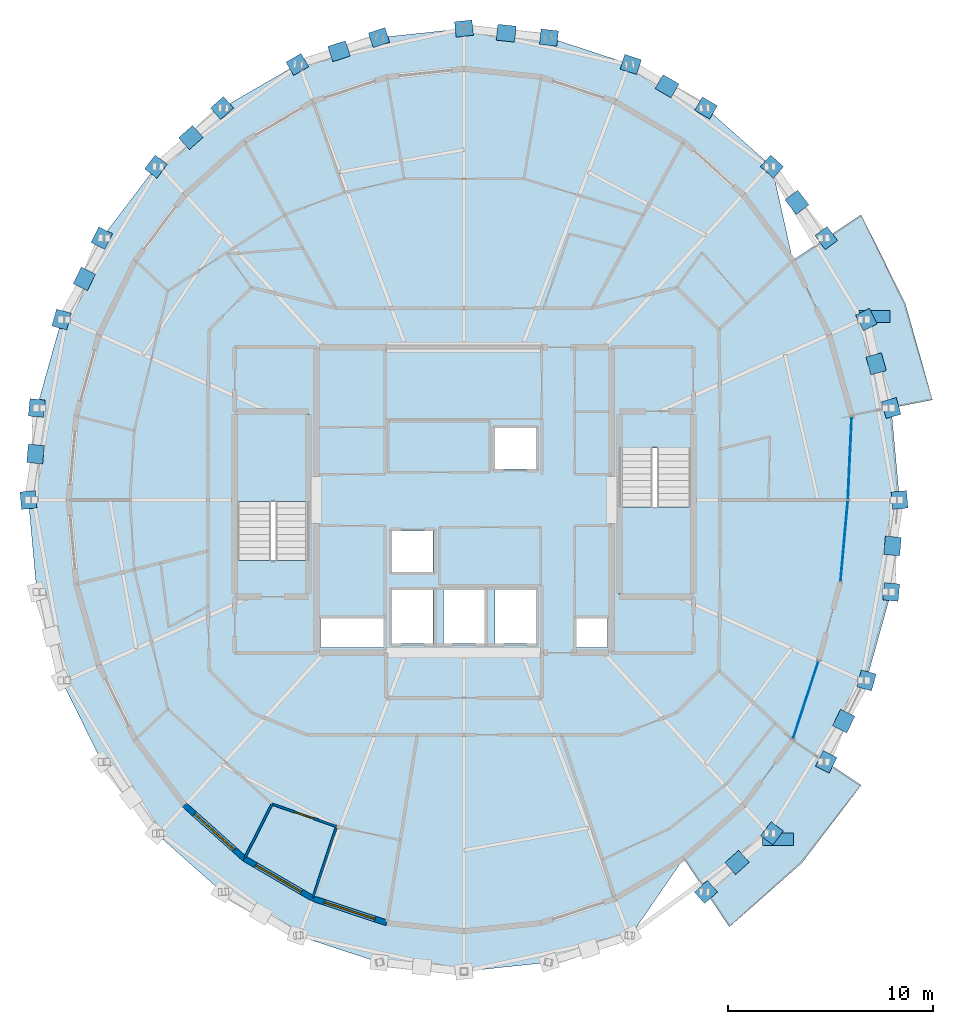
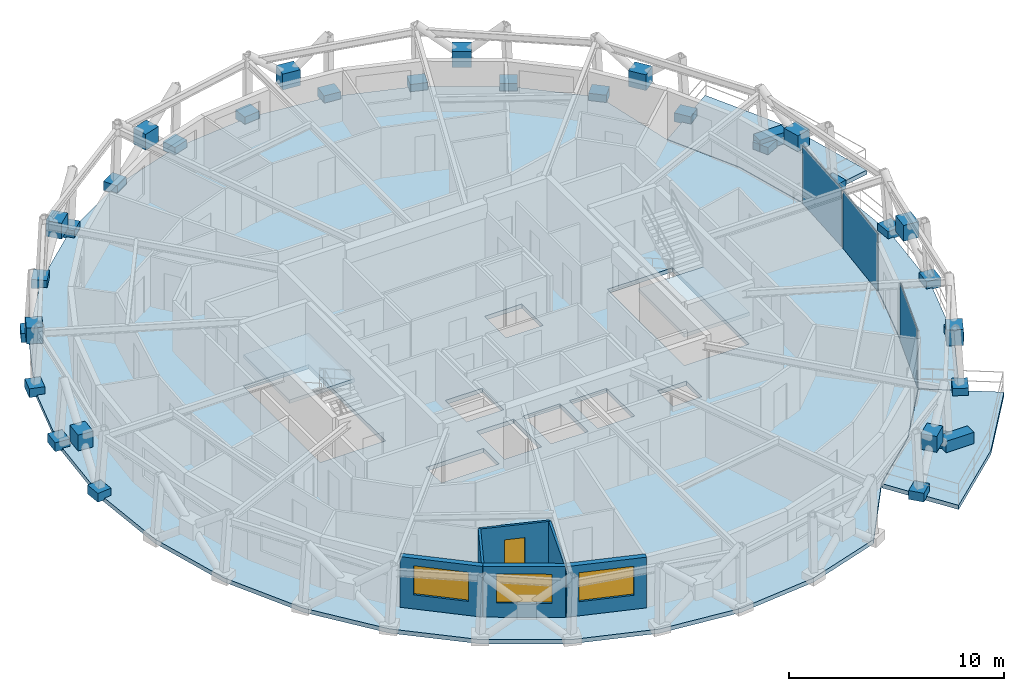
# One storey, part 6 of 12: 38 plates, 6 slabs, 6 walls, 3 windows, 1 door, 4 openings, 4 elements without a shape of their own.
"""IFC4 building model written with IfcOpenShell, lengths in metres."""

from ifc_helpers import new_model, si_unit, direction, frame, frame_2d, origin, origin_2d, place, context, subcontext, project, spatial, polyline, rectangle, outline, extrude, material, layer, layer_set, type_object, element, fill, aggregate, save


model = new_model("IFC4")

# Units and contexts
model_context = context("Model", 3, precision=1e-05, world=origin(), true_north=direction((0.0, 1.0)))
body_context = subcontext(model_context, "Body", "Model", "MODEL_VIEW")
ifc_project = project(units=[si_unit("LENGTHUNIT", "METRE"), si_unit("AREAUNIT", "SQUARE_METRE"), si_unit("VOLUMEUNIT", "CUBIC_METRE"), si_unit("PLANEANGLEUNIT", "RADIAN"), si_unit("MASSUNIT", "GRAM", prefix="KILO")], contexts=[model_context])

# Site, building, storey
site_placement = place(None, origin())
site = spatial("IfcSite", under=ifc_project, at=site_placement, CompositionType="ELEMENT")
building_placement = place(site_placement, origin())
building = spatial("IfcBuilding", under=site, at=building_placement, Name="Veldorina Hangang Commons", CompositionType="ELEMENT")
storey_placement = place(building_placement, frame((0.0, 0.0, 272.39990234375)))
storey = spatial("IfcBuildingStorey", under=building, at=storey_placement, Name="L71", CompositionType="ELEMENT", Elevation=272.39990234375)

# Curtain wall, plate
ifc_material_1 = material(Name="Glass Low-E Selective", Category="glass")
ifc_layer_1 = layer(ifc_material_1, 0.179931640625)
ifc_layer_set_1 = layer_set([ifc_layer_1], Name="Glass Low-E Selective")
curtain_wall_type = type_object("IfcCurtainWallType", Name="CW-SYS-Z3", PredefinedType="NOTDEFINED", material=ifc_layer_set_1)
curtain_wall_1_placement = place(storey_placement, origin())
curtain_wall_1 = element("IfcCurtainWall", 1, at=curtain_wall_1_placement, inside=storey, type_object=curtain_wall_type, Name="L71 unitised curtain wall CW-L71-R1", PredefinedType="NOTDEFINED")
ifc_material_2 = material(Name="Glass Low-E Triple IGU", Category="glass")
ifc_layer_2 = layer(ifc_material_2, 0.0400390625)
ifc_layer_set_2 = layer_set([ifc_layer_2], Name="Glass Low-E Triple IGU")
plate_type_1 = type_object("IfcPlateType", Name="CW-PNL-VIS", PredefinedType="CURTAIN_PANEL", material=ifc_layer_set_2)
plate_1_placement = place(storey_placement, frame((48.65966796875, 14.243896484375, 0.01513671875), z_axis=(0.0, 0.0, 1.0), x_axis=(0.311953550135, 0.950097354253, 0.0)))
plate_1 = element("IfcPlate", 2, at=plate_1_placement, type_object=plate_type_1, Name="CW-L71-R1 facet 1 glazed vision panel", PredefinedType="CURTAIN_PANEL", context=body_context, shape_type="SweptSolid", body=[
    extrude(rectangle(XDim=3.87158203125, YDim=0.0400390625, at=origin_2d()), origin(), (0.0, 0.0, 1.0), 3.2900390625),
])
aggregate(curtain_wall_1, [plate_1])

# Curtain wall, plates
curtain_wall_2_placement = place(storey_placement, origin())
curtain_wall_2 = element("IfcCurtainWall", 3, at=curtain_wall_2_placement, inside=storey, type_object=curtain_wall_type, Name="L71 unitised curtain wall CW-L71-R2", PredefinedType="NOTDEFINED")
plate_2_placement = place(storey_placement, frame((50.53662109375, 22.00390625, 0.01513671875), z_axis=(0.0, 0.0, 1.0), x_axis=(0.089711324082, 0.995967809887, 0.0)))
plate_2 = element("IfcPlate", 4, at=plate_2_placement, type_object=plate_type_1, Name="CW-L71-R2 facet 1 glazed vision panel", PredefinedType="CURTAIN_PANEL", context=body_context, shape_type="SweptSolid", body=[
    extrude(rectangle(XDim=3.82861328125, YDim=0.0400390625, at=origin_2d()), origin(), (0.0, 0.0, 1.0), 3.2900390625),
])
plate_3_placement = place(storey_placement, frame((50.81103515625, 26.05078125, 0.01513671875), z_axis=(0.0, 0.0, 1.0), x_axis=(0.046182433077, 0.998933022217, 0.0)))
plate_3 = element("IfcPlate", 5, at=plate_3_placement, type_object=plate_type_1, Name="CW-L71-R2 facet 2 glazed vision panel", PredefinedType="CURTAIN_PANEL", context=body_context, shape_type="SweptSolid", body=[
    extrude(rectangle(XDim=3.926025390625, YDim=0.0400390625, at=origin_2d()), origin(), (0.0, 0.0, 1.0), 3.2900390625),
])
aggregate(curtain_wall_2, [plate_2, plate_3])

# Plates
ifc_material_3 = material(Name="Steel SM460-TMC", Category="steel")
ifc_layer_3 = layer(ifc_material_3, 0.035888671875)
ifc_layer_set_3 = layer_set([ifc_layer_3], Name="Steel SM460-TMC")
plate_type_2 = type_object("IfcPlateType", Name="PL-STAR-36", PredefinedType="USERDEFINED", material=ifc_layer_set_3)
for number, where, z_axis, x_axis, name in (
    (6, (53.236328125, 24.0, -0.08984375), (0.0, 0.0, 1.0), (-0.090615198722, 0.995885980301, 0.0), "L71 diagrid star-node gusset plate 00"),
    (7, (52.828369140625, 28.484130859375, -0.08984375), (0.0, 0.0, 1.0), (-0.269877877789, 0.962894558651, 0.0), "L71 diagrid star-node gusset plate 01"),
):
    element("IfcPlate", number, at=place(storey_placement, frame(where, z_axis=z_axis, x_axis=x_axis)), inside=storey, type_object=plate_type_2, Name=name, ObjectType="GUSSET PLATE", PredefinedType="USERDEFINED", context=body_context, shape_type="SweptSolid", body=[
        extrude(rectangle(XDim=0.85009765625, YDim=0.75, at=origin_2d()), origin(), (0.0, 0.0, 1.0), 0.5),
    ])
plate_4_placement = place(storey_placement, frame((52.093505859375, 30.639404296875, 1.3515625), z_axis=(0.0, 0.0, 1.0), x_axis=(-0.269877877789, 0.962894558651, 0.0)))
element("IfcPlate", 8, at=plate_4_placement, inside=storey, type_object=plate_type_2, Name="L71 diagrid X-crossing star-node gusset plate 01", ObjectType="GUSSET PLATE", PredefinedType="USERDEFINED", context=body_context, shape_type="SweptSolid", body=[
    extrude(rectangle(XDim=0.89990234375, YDim=0.780029296875, at=origin_2d()), origin(), (0.0, 0.0, 1.0), 0.89990234375),
])
for number, where, z_axis, x_axis, name in (
    (9, (51.619873046875, 32.7958984375, -0.08984375), (0.0, 0.0, 1.0), (-0.442805178447, 0.896617852789, 0.0), "L71 diagrid star-node gusset plate 02"),
    (10, (49.6572265625, 36.769775390625, -0.08984375), (0.0, 0.0, 1.0), (-0.604195877415, 0.796835831093, 0.0), "L71 diagrid star-node gusset plate 03"),
):
    element("IfcPlate", number, at=place(storey_placement, frame(where, z_axis=z_axis, x_axis=x_axis)), inside=storey, type_object=plate_type_2, Name=name, ObjectType="GUSSET PLATE", PredefinedType="USERDEFINED", context=body_context, shape_type="SweptSolid", body=[
        extrude(rectangle(XDim=0.85009765625, YDim=0.75, at=origin_2d()), origin(), (0.0, 0.0, 1.0), 0.5),
    ])
plate_5_placement = place(storey_placement, frame((48.233642578125, 38.511474609375, 1.354736328125), z_axis=(0.0, 0.0, 1.0), x_axis=(-0.604195877415, 0.796835831093, 0.0)))
element("IfcPlate", 11, at=plate_5_placement, inside=storey, type_object=plate_type_2, Name="L71 diagrid X-crossing star-node gusset plate 03", ObjectType="GUSSET PLATE", PredefinedType="USERDEFINED", context=body_context, shape_type="SweptSolid", body=[
    extrude(rectangle(XDim=0.89990234375, YDim=0.780029296875, at=origin_2d()), origin(), (0.0, 0.0, 1.0), 0.89990234375),
])
for number, where, z_axis, x_axis, name in (
    (12, (47.016357421875, 40.252685546875, -0.08984375), (0.0, 0.0, 1.0), (-0.747635840399, 0.664108914374, 0.0), "L71 diagrid star-node gusset plate 04"),
    (13, (43.79833984375, 43.111083984375, -0.08984375), (0.0, 0.0, 1.0), (-0.865588741769, 0.500755559253, 0.0), "L71 diagrid star-node gusset plate 05"),
):
    element("IfcPlate", number, at=place(storey_placement, frame(where, z_axis=z_axis, x_axis=x_axis)), inside=storey, type_object=plate_type_2, Name=name, ObjectType="GUSSET PLATE", PredefinedType="USERDEFINED", context=body_context, shape_type="SweptSolid", body=[
        extrude(rectangle(XDim=0.85009765625, YDim=0.75, at=origin_2d()), origin(), (0.0, 0.0, 1.0), 0.5),
    ])
plate_6_placement = place(storey_placement, frame((41.899169921875, 44.1728515625, 1.359130859375), z_axis=(0.0, 0.0, 1.0), x_axis=(-0.865588741769, 0.500755559253, 0.0)))
element("IfcPlate", 14, at=plate_6_placement, inside=storey, type_object=plate_type_2, Name="L71 diagrid X-crossing star-node gusset plate 05", ObjectType="GUSSET PLATE", PredefinedType="USERDEFINED", context=body_context, shape_type="SweptSolid", body=[
    extrude(rectangle(XDim=0.89990234375, YDim=0.780029296875, at=origin_2d()), origin(), (0.0, 0.0, 1.0), 0.89990234375),
])
for number, where, z_axis, x_axis, name in (
    (15, (40.126708984375, 45.235107421875, -0.08984375), (0.0, 0.0, 1.0), (-0.950097354253, 0.311953550135, 0.0), "L71 diagrid star-node gusset plate 06"),
    (16, (36.14306640625, 46.543212890625, -0.08984375), (0.0, 0.0, 1.0), (-0.994367579889, 0.10598639566, 0.0), "L71 diagrid star-node gusset plate 07"),
):
    element("IfcPlate", number, at=place(storey_placement, frame(where, z_axis=z_axis, x_axis=x_axis)), inside=storey, type_object=plate_type_2, Name=name, ObjectType="GUSSET PLATE", PredefinedType="USERDEFINED", context=body_context, shape_type="SweptSolid", body=[
        extrude(rectangle(XDim=0.85009765625, YDim=0.75, at=origin_2d()), origin(), (0.0, 0.0, 1.0), 0.5),
    ])
plate_7_placement = place(storey_placement, frame((34.057861328125, 46.759521484375, 1.362060546875), z_axis=(0.0, 0.0, 1.0), x_axis=(-0.994367579889, 0.10598639566, 0.0)))
element("IfcPlate", 17, at=plate_7_placement, inside=storey, type_object=plate_type_2, Name="L71 diagrid X-crossing star-node gusset plate 07", ObjectType="GUSSET PLATE", PredefinedType="USERDEFINED", context=body_context, shape_type="SweptSolid", body=[
    extrude(rectangle(XDim=0.89990234375, YDim=0.780029296875, at=origin_2d()), origin(), (0.0, 0.0, 1.0), 0.89990234375),
])
for number, where, z_axis, x_axis, name in (
    (18, (32.0, 46.98486328125, -0.08984375), (0.0, 0.0, 1.0), (-0.994367579889, -0.10598639566, 0.0), "L71 diagrid star-node gusset plate 08"),
    (19, (27.85693359375, 46.543212890625, -0.08984375), (0.0, 0.0, 1.0), (-0.950097354253, -0.311953550135, 0.0), "L71 diagrid star-node gusset plate 09"),
):
    element("IfcPlate", number, at=place(storey_placement, frame(where, z_axis=z_axis, x_axis=x_axis)), inside=storey, type_object=plate_type_2, Name=name, ObjectType="GUSSET PLATE", PredefinedType="USERDEFINED", context=body_context, shape_type="SweptSolid", body=[
        extrude(rectangle(XDim=0.85009765625, YDim=0.75, at=origin_2d()), origin(), (0.0, 0.0, 1.0), 0.5),
    ])
plate_8_placement = place(storey_placement, frame((25.9072265625, 45.879638671875, 1.361083984375), z_axis=(0.0, 0.0, 1.0), x_axis=(-0.950097354253, -0.311953550135, 0.0)))
element("IfcPlate", 20, at=plate_8_placement, inside=storey, type_object=plate_type_2, Name="L71 diagrid X-crossing star-node gusset plate 09", ObjectType="GUSSET PLATE", PredefinedType="USERDEFINED", context=body_context, shape_type="SweptSolid", body=[
    extrude(rectangle(XDim=0.89990234375, YDim=0.780029296875, at=origin_2d()), origin(), (0.0, 0.0, 1.0), 0.89990234375),
])
for number, where, z_axis, x_axis, name in (
    (21, (23.873291015625, 45.235107421875, -0.08984375), (0.0, 0.0, 1.0), (-0.865588741769, -0.500755559253, 0.0), "L71 diagrid star-node gusset plate 10"),
    (22, (20.20166015625, 43.111083984375, -0.08984375), (0.0, 0.0, 1.0), (-0.747635840399, -0.664108914374, 0.0), "L71 diagrid star-node gusset plate 11"),
):
    element("IfcPlate", number, at=place(storey_placement, frame(where, z_axis=z_axis, x_axis=x_axis)), inside=storey, type_object=plate_type_2, Name=name, ObjectType="GUSSET PLATE", PredefinedType="USERDEFINED", context=body_context, shape_type="SweptSolid", body=[
        extrude(rectangle(XDim=0.85009765625, YDim=0.75, at=origin_2d()), origin(), (0.0, 0.0, 1.0), 0.5),
    ])
plate_9_placement = place(storey_placement, frame((18.686279296875, 41.672119140625, 1.35693359375), z_axis=(0.0, 0.0, 1.0), x_axis=(-0.747635840399, -0.664108914374, 0.0)))
element("IfcPlate", 23, at=plate_9_placement, inside=storey, type_object=plate_type_2, Name="L71 diagrid X-crossing star-node gusset plate 11", ObjectType="GUSSET PLATE", PredefinedType="USERDEFINED", context=body_context, shape_type="SweptSolid", body=[
    extrude(rectangle(XDim=0.89990234375, YDim=0.780029296875, at=origin_2d()), origin(), (0.0, 0.0, 1.0), 0.89990234375),
])
for number, where, z_axis, x_axis, name in (
    (24, (16.983642578125, 40.252685546875, -0.08984375), (0.0, 0.0, 1.0), (-0.604195877415, -0.796835831093, 0.0), "L71 diagrid star-node gusset plate 12"),
    (25, (14.3427734375, 36.769775390625, -0.08984375), (0.0, 0.0, 1.0), (-0.442805178447, -0.896617852789, 0.0), "L71 diagrid star-node gusset plate 13"),
):
    element("IfcPlate", number, at=place(storey_placement, frame(where, z_axis=z_axis, x_axis=x_axis)), inside=storey, type_object=plate_type_2, Name=name, ObjectType="GUSSET PLATE", PredefinedType="USERDEFINED", context=body_context, shape_type="SweptSolid", body=[
        extrude(rectangle(XDim=0.85009765625, YDim=0.75, at=origin_2d()), origin(), (0.0, 0.0, 1.0), 0.5),
    ])
plate_10_placement = place(storey_placement, frame((13.490234375, 34.777587890625, 1.352783203125), z_axis=(0.0, 0.0, 1.0), x_axis=(-0.442805178447, -0.896617852789, 0.0)))
element("IfcPlate", 26, at=plate_10_placement, inside=storey, type_object=plate_type_2, Name="L71 diagrid X-crossing star-node gusset plate 13", ObjectType="GUSSET PLATE", PredefinedType="USERDEFINED", context=body_context, shape_type="SweptSolid", body=[
    extrude(rectangle(XDim=0.89990234375, YDim=0.780029296875, at=origin_2d()), origin(), (0.0, 0.0, 1.0), 0.89990234375),
])
for number, where, z_axis, x_axis, name in (
    (27, (12.380126953125, 32.7958984375, -0.08984375), (0.0, 0.0, 1.0), (-0.269877877789, -0.962894558651, 0.0), "L71 diagrid star-node gusset plate 14"),
    (28, (11.171630859375, 28.484130859375, -0.08984375), (0.0, 0.0, 1.0), (-0.090615198722, -0.995885980301, 0.0), "L71 diagrid star-node gusset plate 15"),
):
    element("IfcPlate", number, at=place(storey_placement, frame(where, z_axis=z_axis, x_axis=x_axis)), inside=storey, type_object=plate_type_2, Name=name, ObjectType="GUSSET PLATE", PredefinedType="USERDEFINED", context=body_context, shape_type="SweptSolid", body=[
        extrude(rectangle(XDim=0.85009765625, YDim=0.75, at=origin_2d()), origin(), (0.0, 0.0, 1.0), 0.5),
    ])
plate_11_placement = place(storey_placement, frame((11.1083984375, 26.241455078125, 1.350830078125), z_axis=(0.0, 0.0, 1.0), x_axis=(-0.090615198722, -0.995885980301, 0.0)))
element("IfcPlate", 29, at=plate_11_placement, inside=storey, type_object=plate_type_2, Name="L71 diagrid X-crossing star-node gusset plate 15", ObjectType="GUSSET PLATE", PredefinedType="USERDEFINED", context=body_context, shape_type="SweptSolid", body=[
    extrude(rectangle(XDim=0.89990234375, YDim=0.780029296875, at=origin_2d()), origin(), (0.0, 0.0, 1.0), 0.89990234375),
])
for number, where, z_axis, x_axis, name in (
    (30, (10.763671875, 24.0, -0.08984375), (0.0, 0.0, 1.0), (0.090615198722, -0.995885980301, 0.0), "L71 diagrid star-node gusset plate 16"),
    (31, (43.79833984375, 4.888916015625, -0.08984375), (0.0, 0.0, 1.0), (0.747635840399, 0.664108914374, 0.0), "L71 diagrid star-node gusset plate 27"),
):
    element("IfcPlate", number, at=place(storey_placement, frame(where, z_axis=z_axis, x_axis=x_axis)), inside=storey, type_object=plate_type_2, Name=name, ObjectType="GUSSET PLATE", PredefinedType="USERDEFINED", context=body_context, shape_type="SweptSolid", body=[
        extrude(rectangle(XDim=0.85009765625, YDim=0.75, at=origin_2d()), origin(), (0.0, 0.0, 1.0), 0.5),
    ])
plate_12_placement = place(storey_placement, frame((45.313720703125, 6.327880859375, 1.35693359375), z_axis=(0.0, 0.0, 1.0), x_axis=(0.747635840399, 0.664108914374, 0.0)))
element("IfcPlate", 32, at=plate_12_placement, inside=storey, type_object=plate_type_2, Name="L71 diagrid X-crossing star-node gusset plate 27", ObjectType="GUSSET PLATE", PredefinedType="USERDEFINED", context=body_context, shape_type="SweptSolid", body=[
    extrude(rectangle(XDim=0.89990234375, YDim=0.780029296875, at=origin_2d()), origin(), (0.0, 0.0, 1.0), 0.89990234375),
])
for number, where, z_axis, x_axis, name in (
    (33, (47.016357421875, 7.747314453125, -0.08984375), (0.0, 0.0, 1.0), (0.604195877415, 0.796835831093, 0.0), "L71 diagrid star-node gusset plate 28"),
    (34, (49.6572265625, 11.230224609375, -0.08984375), (0.0, 0.0, 1.0), (0.442805178447, 0.896617852789, 0.0), "L71 diagrid star-node gusset plate 29"),
):
    element("IfcPlate", number, at=place(storey_placement, frame(where, z_axis=z_axis, x_axis=x_axis)), inside=storey, type_object=plate_type_2, Name=name, ObjectType="GUSSET PLATE", PredefinedType="USERDEFINED", context=body_context, shape_type="SweptSolid", body=[
        extrude(rectangle(XDim=0.85009765625, YDim=0.75, at=origin_2d()), origin(), (0.0, 0.0, 1.0), 0.5),
    ])
plate_13_placement = place(storey_placement, frame((50.509765625, 13.222412109375, 1.352783203125), z_axis=(0.0, 0.0, 1.0), x_axis=(0.442805178447, 0.896617852789, 0.0)))
element("IfcPlate", 35, at=plate_13_placement, inside=storey, type_object=plate_type_2, Name="L71 diagrid X-crossing star-node gusset plate 29", ObjectType="GUSSET PLATE", PredefinedType="USERDEFINED", context=body_context, shape_type="SweptSolid", body=[
    extrude(rectangle(XDim=0.89990234375, YDim=0.780029296875, at=origin_2d()), origin(), (0.0, 0.0, 1.0), 0.89990234375),
])
for number, where, z_axis, x_axis, name in (
    (36, (51.619873046875, 15.2041015625, -0.08984375), (0.0, 0.0, 1.0), (0.269877877789, 0.962894558651, 0.0), "L71 diagrid star-node gusset plate 30"),
    (37, (52.828369140625, 19.515869140625, -0.08984375), (0.0, 0.0, 1.0), (0.090615198722, 0.995885980301, 0.0), "L71 diagrid star-node gusset plate 31"),
):
    element("IfcPlate", number, at=place(storey_placement, frame(where, z_axis=z_axis, x_axis=x_axis)), inside=storey, type_object=plate_type_2, Name=name, ObjectType="GUSSET PLATE", PredefinedType="USERDEFINED", context=body_context, shape_type="SweptSolid", body=[
        extrude(rectangle(XDim=0.85009765625, YDim=0.75, at=origin_2d()), origin(), (0.0, 0.0, 1.0), 0.5),
    ])
plate_14_placement = place(storey_placement, frame((52.8916015625, 21.758544921875, 1.350830078125), z_axis=(0.0, 0.0, 1.0), x_axis=(0.090615198722, 0.995885980301, 0.0)))
element("IfcPlate", 38, at=plate_14_placement, inside=storey, type_object=plate_type_2, Name="L71 diagrid X-crossing star-node gusset plate 31", ObjectType="GUSSET PLATE", PredefinedType="USERDEFINED", context=body_context, shape_type="SweptSolid", body=[
    extrude(rectangle(XDim=0.89990234375, YDim=0.780029296875, at=origin_2d()), origin(), (0.0, 0.0, 1.0), 0.89990234375),
])
ifc_material_4 = material(Name="Stone Roman Travertine", Category="masonry")
ifc_layer_4 = layer(ifc_material_4, 0.64990234375)
ifc_layer_set_4 = layer_set([ifc_layer_4], Name="Stone Roman Travertine")
plate_type_3 = type_object("IfcPlateType", Name="PLN-TBAL-1800", PredefinedType="USERDEFINED", material=ifc_layer_set_4)
for number, where, z_axis, x_axis, name in (
    (39, (47.314453125, 7.46484375, 0.000244140625), (0.0, 0.0, 1.0), (1.0, 0.0, 0.0), "L71 TREE BALCONY PLANTER 1"),
    (40, (52.009521484375, 32.94873046875, 0.000244140625), (0.0, 0.0, 1.0), (1.0, 0.0, 0.0), "L71 TREE BALCONY PLANTER 2"),
):
    element("IfcPlate", number, at=place(storey_placement, frame(where, z_axis=z_axis, x_axis=x_axis)), inside=storey, type_object=plate_type_3, Name=name, ObjectType="PLANTER", PredefinedType="USERDEFINED", context=body_context, shape_type="SweptSolid", body=[
        extrude(rectangle(XDim=1.5, YDim=0.60009765625, at=origin_2d()), origin(), (0.0, 0.0, 1.0), 0.64990234375),
    ])

# Slabs
ifc_material_5 = material(Name="Concrete C40/50", Category="concrete")
ifc_layer_5 = layer(ifc_material_5, 0.239990234375)
ifc_layer_set_5 = layer_set([ifc_layer_5], Name="Concrete C40/50")
slab_type_1 = type_object("IfcSlabType", Name="SL-FLR-240", PredefinedType="FLOOR", material=ifc_layer_set_5)
slab_1_placement = place(storey_placement, frame((0.0, 0.0, -0.239990234375)))
element("IfcSlab", 41, at=slab_1_placement, inside=storey, type_object=slab_type_1, Name="L71 tower structural floor slab", PredefinedType="FLOOR", context=body_context, shape_type="SweptSolid", body=[
    extrude(outline(polyline([(50.71630859375, 24.0), (50.906005859375, 28.101806640625), (49.80908203125, 32.0458984375), (48.027587890625, 35.680908203125), (47.016357421875, 40.252685546875), (43.79833984375, 43.111083984375), (40.126708984375, 45.235107421875), (36.14306640625, 46.543212890625), (32.0, 46.98486328125), (27.85693359375, 46.543212890625), (23.873291015625, 45.235107421875), (20.20166015625, 43.111083984375), (16.983642578125, 40.252685546875), (14.3427734375, 36.769775390625), (12.380126953125, 32.7958984375), (11.171630859375, 28.484130859375), (10.763671875, 24.0), (11.171630859375, 19.515869140625), (12.380126953125, 15.2041015625), (14.3427734375, 11.230224609375), (16.983642578125, 7.747314453125), (20.20166015625, 4.888916015625), (23.873291015625, 2.764892578125), (27.85693359375, 1.456787109375), (32.0, 1.01513671875), (36.14306640625, 1.456787109375), (40.126708984375, 2.764892578125), (42.709228515625, 6.5185546875), (45.63037109375, 9.13330078125), (48.027587890625, 12.319091796875), (49.29150390625, 16.16845703125), (50.356689453125, 20.007568359375), (50.71630859375, 24.0)]), holes=[polyline([(20.949951171875, 21.05810546875), (20.949951171875, 28.199951171875), (24.449951171875, 28.199951171875), (24.449951171875, 21.05810546875), (20.949951171875, 21.05810546875)]), polyline([(43.050048828125, 26.5419921875), (43.050048828125, 19.39990234375), (39.550048828125, 19.39990234375), (39.550048828125, 26.5419921875), (43.050048828125, 26.5419921875)]), polyline([(33.5, 27.5), (35.5, 27.5), (35.5, 25.5), (33.5, 25.5), (33.5, 27.5)]), polyline([(28.5, 22.5), (30.5, 22.5), (30.5, 20.5), (28.5, 20.5), (28.5, 22.5)]), polyline([(28.5, 19.60009765625), (30.5, 19.60009765625), (30.5, 17.0), (28.5, 17.0), (28.5, 19.60009765625)]), polyline([(31.0, 19.60009765625), (33.0, 19.60009765625), (33.0, 17.0), (31.0, 17.0), (31.0, 19.60009765625)]), polyline([(33.5, 19.60009765625), (35.5, 19.60009765625), (35.5, 17.0), (33.5, 17.0), (33.5, 19.60009765625)]), polyline([(25.0, 18.25), (28.10009765625, 18.25), (28.10009765625, 16.800048828125), (25.0, 16.800048828125), (25.0, 18.25)]), polyline([(37.449951171875, 18.25), (39.0, 18.25), (39.0, 16.800048828125), (37.449951171875, 16.800048828125), (37.449951171875, 18.25)])]), origin(), (0.0, 0.0, 1.0), 0.239990234375),
])
slab_2_placement = place(storey_placement, frame((0.0, 0.0, -0.239990234375)))
element("IfcSlab", 42, at=slab_2_placement, inside=storey, type_object=slab_type_1, Name="L71 sky-garden loggia outdoor slab", PredefinedType="FLOOR", context=body_context, shape_type="SweptSolid", body=[
    extrude(outline(polyline([(52.828369140625, 28.484130859375), (53.236328125, 24.0), (52.828369140625, 19.515869140625), (51.619873046875, 15.2041015625), (49.6572265625, 11.230224609375), (48.040283203125, 12.310791015625), (48.04052734375, 12.3115234375), (48.04150390625, 12.31298828125), (48.0419921875, 12.314453125), (49.305908203125, 16.163818359375), (49.30615234375, 16.16455078125), (50.37109375, 20.00341796875), (50.37158203125, 20.0048828125), (50.37158203125, 20.006103515625), (50.731201171875, 23.998779296875), (50.731201171875, 23.999267578125), (50.9208984375, 28.10107421875), (50.9208984375, 28.1025390625), (50.920654296875, 28.104248046875), (50.920654296875, 28.1044921875), (52.828369140625, 28.484130859375)])), origin(), (0.0, 0.0, 1.0), 0.239990234375),
])
slab_3_placement = place(storey_placement, frame((0.0, 0.0, -0.239990234375)))
element("IfcSlab", 43, at=slab_3_placement, inside=storey, type_object=slab_type_1, Name="L71 planted tree balcony slab 1", PredefinedType="FLOOR", context=body_context, shape_type="SweptSolid", body=[
    extrude(outline(polyline([(45.64453125, 9.119140625), (48.044189453125, 12.30810546875), (51.36181640625, 10.09130859375), (48.4658203125, 6.297607421875), (44.937255859375, 3.184326171875), (42.720458984375, 6.501953125), (45.64453125, 9.119140625)])), origin(), (0.0, 0.0, 1.0), 0.239990234375),
])
slab_4_placement = place(storey_placement, frame((0.0, 0.0, -0.239990234375)))
element("IfcSlab", 44, at=slab_4_placement, inside=storey, type_object=slab_type_1, Name="L71 planted tree balcony slab 2", PredefinedType="FLOOR", context=body_context, shape_type="SweptSolid", body=[
    extrude(outline(polyline([(49.827392578125, 32.053466796875), (48.044189453125, 35.69189453125), (51.36181640625, 37.90869140625), (53.513671875, 33.580322265625), (54.8388671875, 28.884033203125), (50.925537109375, 28.105712890625), (49.827392578125, 32.053466796875)])), origin(), (0.0, 0.0, 1.0), 0.239990234375),
])

# Stair, slab
stair_type = type_object("IfcStairType", Name="STR-DOG-1650-20R", PredefinedType="HALF_TURN_STAIR", material=ifc_material_5)
stair_1_placement = place(storey_placement, origin())
stair_1 = element("IfcStair", 45, at=stair_1_placement, inside=storey, type_object=stair_type, Name="L71 Exit stair ST-1", PredefinedType="HALF_TURN_STAIR")
ifc_layer_6 = layer(ifc_material_5, 0.199951171875)
ifc_layer_set_6 = layer_set([ifc_layer_6], Name="Concrete C40/50")
slab_type_2 = type_object("IfcSlabType", Name="SL-LND-200", PredefinedType="LANDING", material=ifc_layer_set_6)
slab_5_placement = place(storey_placement, frame((0.0, 0.0, 1.60009765625)))
slab_5 = element("IfcSlab", 46, at=slab_5_placement, type_object=slab_type_2, Name="ST-1 landing 1", PredefinedType="LANDING", context=body_context, shape_type="SweptSolid", body=[
    extrude(outline(polyline([(24.449951171875, 23.929931640625), (24.449951171875, 28.199951171875), (20.949951171875, 28.199951171875), (20.949951171875, 23.929931640625), (24.449951171875, 23.929931640625)])), origin(), (0.0, 0.0, 1.0), 0.199951171875),
])
aggregate(stair_1, [slab_5])

stair_2_placement = place(storey_placement, origin())
stair_2 = element("IfcStair", 47, at=stair_2_placement, inside=storey, type_object=stair_type, Name="L71 Exit stair ST-2", PredefinedType="HALF_TURN_STAIR")
slab_6_placement = place(storey_placement, frame((0.0, 0.0, 1.60009765625)))
slab_6 = element("IfcSlab", 48, at=slab_6_placement, type_object=slab_type_2, Name="ST-2 landing 1", PredefinedType="LANDING", context=body_context, shape_type="SweptSolid", body=[
    extrude(outline(polyline([(39.550048828125, 23.669921875), (39.550048828125, 19.39990234375), (43.050048828125, 19.39990234375), (43.050048828125, 23.669921875), (39.550048828125, 23.669921875)])), origin(), (0.0, 0.0, 1.0), 0.199951171875),
])
aggregate(stair_2, [slab_6])

# Wall, opening, window
ifc_layer_7 = layer(ifc_material_4, 0.280029296875)
ifc_layer_set_7 = layer_set([ifc_layer_7], Name="Stone Roman Travertine")
wall_type_1 = type_object("IfcWallType", Name="EW-TRAV-280", PredefinedType="STANDARD", material=ifc_layer_set_7)
wall_1_placement = place(storey_placement, frame((18.36962890625, 9.13330078125, 0.0), z_axis=(0.0, 0.0, 1.0), x_axis=(0.745102858602, -0.666949570884, 0.0)))
wall_1 = element("IfcWall", 49, at=wall_1_placement, inside=storey, type_object=wall_type_1, Name="L71 travertine facade wall 20", PredefinedType="STANDARD", context=body_context, shape_type="SweptSolid", body=[
    extrude(rectangle(XDim=3.92041015625, YDim=0.280029296875, at=frame_2d((1.960205078125, 0.0))), origin(), (0.0, 0.0, 1.0), 2.880126953125),
])
opening_1_placement = place(wall_1_placement, frame((0.66015625, 0.0, 0.800048828125)))
opening_1 = element("IfcOpeningElement", 50, at=opening_1_placement, cuts=wall_1, Name="Opening W-02", PredefinedType="OPENING", context=body_context, shape_type="SweptSolid", body=[
    extrude(rectangle(XDim=2.60009765625, YDim=1.64990234375, at=frame_2d((1.300048828125, 0.824951171875))), frame((0.0, 0.14990234375, 0.0), z_axis=(0.0, -1.0, 0.0), x_axis=(1.0, 0.0, 0.0)), (0.0, 0.0, 1.0), 0.300048828125),
])
window_type = type_object("IfcWindowType", Name="WIN-TWR-2600", PartitioningType="SINGLE_PANEL", PredefinedType="WINDOW", material=ifc_material_2)
window_1_placement = place(opening_1_placement, origin())
window_1 = element("IfcWindow", 51, at=window_1_placement, inside=storey, type_object=window_type, Name="L71 facade window 20", OverallHeight=1.64990234375, OverallWidth=2.60009765625, PartitioningType="SINGLE_PANEL", PredefinedType="WINDOW", context=body_context, shape_type="SweptSolid", body=[
    extrude(rectangle(XDim=2.60009765625, YDim=1.64990234375, at=frame_2d((1.300048828125, 0.824951171875))), frame((0.0, 0.030029296875, 0.0), z_axis=(0.0, -1.0, 0.0), x_axis=(1.0, 0.0, 0.0)), (0.0, 0.0, 1.0), 0.06005859375),
])
fill(opening_1, window_1)

wall_2_placement = place(storey_placement, frame((21.290771484375, 6.5185546875, 0.0), z_axis=(0.0, 0.0, 1.0), x_axis=(0.863902830528, -0.503658514677, 0.0)))
wall_2 = element("IfcWall", 52, at=wall_2_placement, inside=storey, type_object=wall_type_1, Name="L71 travertine facade wall 21", PredefinedType="STANDARD", context=body_context, shape_type="SweptSolid", body=[
    extrude(rectangle(XDim=3.857421875, YDim=0.280029296875, at=frame_2d((1.9287109375, 0.0))), origin(), (0.0, 0.0, 1.0), 2.880126953125),
])
opening_2_placement = place(wall_2_placement, frame((0.62890625, 0.0, 0.800048828125)))
opening_2 = element("IfcOpeningElement", 53, at=opening_2_placement, cuts=wall_2, Name="Opening W-02", PredefinedType="OPENING", context=body_context, shape_type="SweptSolid", body=[
    extrude(rectangle(XDim=2.60009765625, YDim=1.64990234375, at=frame_2d((1.300048828125, 0.824951171875))), frame((0.0, 0.14990234375, 0.0), z_axis=(0.0, -1.0, 0.0), x_axis=(1.0, 0.0, 0.0)), (0.0, 0.0, 1.0), 0.300048828125),
])
window_2_placement = place(opening_2_placement, origin())
window_2 = element("IfcWindow", 54, at=window_2_placement, inside=storey, type_object=window_type, Name="L71 facade window 21", OverallHeight=1.64990234375, OverallWidth=2.60009765625, PartitioningType="SINGLE_PANEL", PredefinedType="WINDOW", context=body_context, shape_type="SweptSolid", body=[
    extrude(rectangle(XDim=2.60009765625, YDim=1.64990234375, at=frame_2d((1.300048828125, 0.824951171875))), frame((0.0, 0.030029296875, 0.0), z_axis=(0.0, -1.0, 0.0), x_axis=(1.0, 0.0, 0.0)), (0.0, 0.0, 1.0), 0.06005859375),
])
fill(opening_2, window_2)

wall_3_placement = place(storey_placement, frame((24.623291015625, 4.57568359375, 0.0), z_axis=(0.0, 0.0, 1.0), x_axis=(0.949379621602, -0.314131077874, 0.0)))
wall_3 = element("IfcWall", 55, at=wall_3_placement, inside=storey, type_object=wall_type_1, Name="L71 travertine facade wall 22", PredefinedType="STANDARD", context=body_context, shape_type="SweptSolid", body=[
    extrude(rectangle(XDim=3.80908203125, YDim=0.280029296875, at=frame_2d((1.904541015625, 0.0))), origin(), (0.0, 0.0, 1.0), 2.880126953125),
])
opening_3_placement = place(wall_3_placement, frame((0.6044921875, 0.0, 0.800048828125)))
opening_3 = element("IfcOpeningElement", 56, at=opening_3_placement, cuts=wall_3, Name="Opening W-02", PredefinedType="OPENING", context=body_context, shape_type="SweptSolid", body=[
    extrude(rectangle(XDim=2.60009765625, YDim=1.64990234375, at=frame_2d((1.300048828125, 0.824951171875))), frame((0.0, 0.14990234375, 0.0), z_axis=(0.0, -1.0, 0.0), x_axis=(1.0, 0.0, 0.0)), (0.0, 0.0, 1.0), 0.300048828125),
])
window_3_placement = place(opening_3_placement, origin())
window_3 = element("IfcWindow", 57, at=window_3_placement, inside=storey, type_object=window_type, Name="L71 facade window 22", OverallHeight=1.64990234375, OverallWidth=2.60009765625, PartitioningType="SINGLE_PANEL", PredefinedType="WINDOW", context=body_context, shape_type="SweptSolid", body=[
    extrude(rectangle(XDim=2.60009765625, YDim=1.64990234375, at=frame_2d((1.300048828125, 0.824951171875))), frame((0.0, 0.030029296875, 0.0), z_axis=(0.0, -1.0, 0.0), x_axis=(1.0, 0.0, 0.0)), (0.0, 0.0, 1.0), 0.06005859375),
])
fill(opening_3, window_3)

# Wall, opening, door
ifc_material_6 = material(Name="Gypsum Acoustic Stud Partition", Category="gypsum")
ifc_layer_8 = layer(ifc_material_6, 0.1201171875)
ifc_layer_set_8 = layer_set([ifc_layer_8], Name="Gypsum Acoustic Stud Partition")
wall_type_2 = type_object("IfcWallType", Name="WL-PART-120", PredefinedType="PARTITIONING", material=ifc_layer_set_8)
wall_4_placement = place(storey_placement, frame((22.636474609375, 9.17236328125, 0.0), z_axis=(0.0, 0.0, 1.0), x_axis=(0.945058427039, -0.326901467545, 0.0)))
wall_4 = element("IfcWall", 58, at=wall_4_placement, inside=storey, type_object=wall_type_2, Name="L71 Cluster 6 bed 3 front wall 117", PredefinedType="PARTITIONING", context=body_context, shape_type="SweptSolid", body=[
    extrude(rectangle(XDim=3.32861328125, YDim=0.1201171875, at=frame_2d((1.664306640625, 0.0))), origin(), (0.0, 0.0, 1.0), 2.8701171875),
])
opening_4_placement = place(wall_4_placement, frame((1.189453125, 0.0, 0.0)))
opening_4 = element("IfcOpeningElement", 59, at=opening_4_placement, cuts=wall_4, Name="Opening D-02", PredefinedType="OPENING", context=body_context, shape_type="SweptSolid", body=[
    extrude(rectangle(XDim=0.949951171875, YDim=2.10009765625, at=frame_2d((0.47509765625, 1.050048828125))), frame((0.0, 0.070068359375, 0.0), z_axis=(0.0, -1.0, 0.0), x_axis=(1.0, 0.0, 0.0)), (0.0, 0.0, 1.0), 0.14013671875),
])
ifc_material_7 = material(Name="Timber Solid Core Acoustic", Category="wood")
door_type = type_object("IfcDoorType", Name="DR-INT-950", OperationType="SINGLE_SWING_LEFT", PredefinedType="DOOR", material=ifc_material_7)
door_placement = place(opening_4_placement, origin())
door = element("IfcDoor", 60, at=door_placement, inside=storey, type_object=door_type, Name="L71 Cluster 6 bed 3 door 041", OperationType="SINGLE_SWING_LEFT", OverallHeight=2.10009765625, OverallWidth=0.949951171875, PredefinedType="DOOR", context=body_context, shape_type="SweptSolid", body=[
    extrude(rectangle(XDim=0.949951171875, YDim=2.10009765625, at=frame_2d((0.47509765625, 1.050048828125))), frame((0.0, 0.02490234375, 0.0), z_axis=(0.0, -1.0, 0.0), x_axis=(1.0, 0.0, 0.0)), (0.0, 0.0, 1.0), 0.050048828125),
])
fill(opening_4, door)

# Walls
wall_5_placement = place(storey_placement, frame((22.636474609375, 9.17236328125, 0.0), z_axis=(0.0, 0.0, 1.0), x_axis=(-0.452279946918, -0.891876028165, 0.0)))
element("IfcWall", 61, at=wall_5_placement, inside=storey, type_object=wall_type_2, Name="L71 Cluster 6 bed divider 2 118", PredefinedType="PARTITIONING", context=body_context, shape_type="SweptSolid", body=[
    extrude(rectangle(XDim=2.92578125, YDim=0.1201171875, at=frame_2d((1.462890625, 0.0))), origin(), (0.0, 0.0, 1.0), 2.8701171875),
])
wall_6_placement = place(storey_placement, frame((25.7822265625, 8.084228515625, 0.0), z_axis=(0.0, 0.0, 1.0), x_axis=(-0.313654675755, -0.949537121116, 0.0)))
element("IfcWall", 62, at=wall_6_placement, inside=storey, type_object=wall_type_2, Name="L71 Cluster 6 bed divider 3 120", PredefinedType="PARTITIONING", context=body_context, shape_type="SweptSolid", body=[
    extrude(rectangle(XDim=3.64501953125, YDim=0.1201171875, at=frame_2d((1.822509765625, 0.0))), origin(), (0.0, 0.0, 1.0), 2.8701171875),
])

save(model, "model.ifc")
